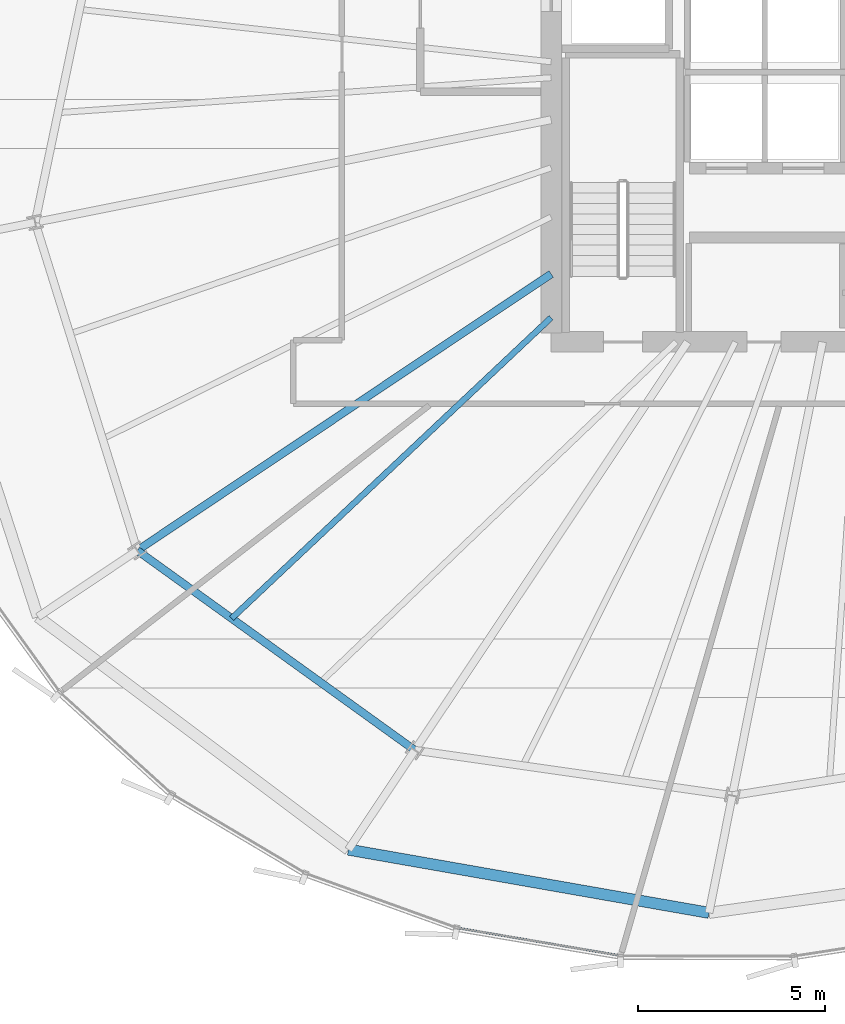
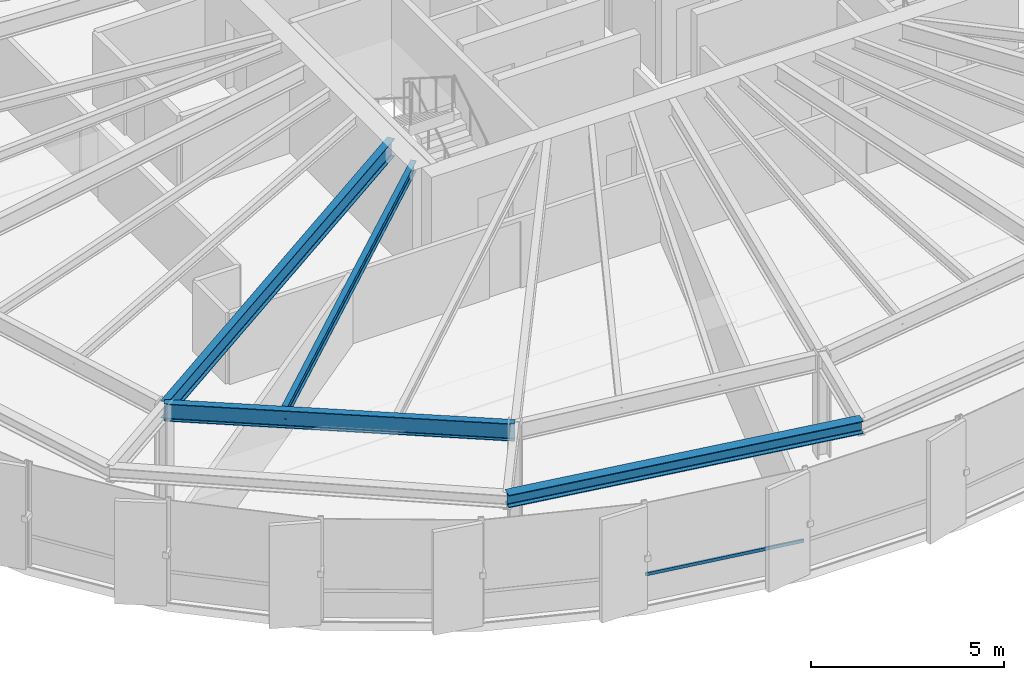
# One storey, part 4 of 34: 4 beams, 1 member, 1 element without a shape of its own.
"""IFC4 building model written with IfcOpenShell, lengths in metres."""

from ifc_helpers import new_model, si_unit, direction, frame, origin, origin_2d, place, context, subcontext, project, spatial, hollow_rectangle, i_section, extrude, source, transform, mapped, material, layer, layer_set, material_profile, profile_set, type_object, element, aggregate, save


model = new_model("IFC4")

# Units and contexts
model_context = context("Model", 3, precision=1e-05, world=origin(), true_north=direction((0.0, 1.0)))
body_context = subcontext(model_context, "Body", "Model", "MODEL_VIEW")
ifc_project = project(units=[si_unit("LENGTHUNIT", "METRE"), si_unit("AREAUNIT", "SQUARE_METRE"), si_unit("VOLUMEUNIT", "CUBIC_METRE"), si_unit("PLANEANGLEUNIT", "RADIAN"), si_unit("MASSUNIT", "GRAM", prefix="KILO"), si_unit("THERMODYNAMICTEMPERATUREUNIT", "KELVIN")], contexts=[model_context])

# Site, building, storey
site_placement = place(None, origin())
site = spatial("IfcSite", under=ifc_project, at=site_placement, CompositionType="ELEMENT")
building_placement = place(site_placement, origin())
building = spatial("IfcBuilding", under=site, at=building_placement, Name="Kethvar Cultural Tower", CompositionType="ELEMENT")
storey_placement = place(building_placement, frame((0.0, 0.0, 153.64990234375)))
storey = spatial("IfcBuildingStorey", under=building, at=storey_placement, Name="L39", CompositionType="ELEMENT", Elevation=153.64990234375)

# Beams
ifc_material_1 = material(Name="Steel S355J2", Category="steel")
ifc_material_profile_1 = material_profile(ifc_material_1, i_section(OverallWidth=0.2099609375, OverallDepth=0.550048828125, WebThickness=0.010986328125, FlangeThickness=0.01708984375, FilletRadius=0.02392578125, at=origin_2d()), Name="Steel S355J2 — IPE550")
ifc_profile_set_1 = profile_set([ifc_material_profile_1], Name="Steel S355J2 — IPE550")
beam_type_1 = type_object("IfcBeamType", Name="BM-IPE550", PredefinedType="BEAM", material=ifc_profile_set_1)
shared_shape_1 = source(origin(), body_context, "Body", "SweptSolid", [
    extrude(i_section(OverallWidth=0.2099609375, OverallDepth=0.550048828125, WebThickness=0.010986328125, FlangeThickness=0.01708984375, FilletRadius=0.02392578125, at=origin_2d()), origin(), (0.0, 0.0, 1.0), 13.324951171875),
])
beam_1_placement = place(storey_placement, frame((38.0, 21.919921875, 3.023193359375), z_axis=(-0.831474815475, -0.555562445843, 0.0), x_axis=(0.555562445843, -0.831474815475, 0.0)))
element("IfcBeam", 1, at=beam_1_placement, inside=storey, type_object=beam_type_1, Name="L39 Primary Radial Beam RB-10", PredefinedType="BEAM", context=body_context, shape_type="MappedRepresentation", body=[
    mapped(shared_shape_1, transform((0.0, 0.0, 0.0), scale=1.0)),
])
shared_shape_2 = source(origin(), body_context, "Body", "SweptSolid", [
    extrude(i_section(OverallWidth=0.2099609375, OverallDepth=0.550048828125, WebThickness=0.010986328125, FlangeThickness=0.01708984375, FilletRadius=0.02392578125, at=origin_2d()), origin(), (0.0, 0.0, 1.0), 9.155029296875),
])
beam_2_placement = place(storey_placement, frame((26.920654296875, 14.51708984375, 3.023193359375), z_axis=(0.811590987974, -0.584226042076, 0.0), x_axis=(0.584226042076, 0.811590987974, 0.0)))
element("IfcBeam", 2, at=beam_2_placement, inside=storey, type_object=beam_type_1, Name="L39 Column Ring Tie Beam CR-10", PredefinedType="BEAM", context=body_context, shape_type="MappedRepresentation", body=[
    mapped(shared_shape_2, transform((0.0, 0.0, 0.0), scale=1.0)),
])
ifc_material_profile_2 = material_profile(ifc_material_1, i_section(OverallWidth=0.159912109375, OverallDepth=0.330078125, WebThickness=0.007568359375, FlangeThickness=0.011474609375, FilletRadius=0.01806640625, at=origin_2d()), Name="Steel S355J2 — IPE330")
ifc_profile_set_2 = profile_set([ifc_material_profile_2], Name="Steel S355J2 — IPE330")
beam_type_2 = type_object("IfcBeamType", Name="BM-J330", PredefinedType="JOIST", material=ifc_profile_set_2)
shared_shape_3 = source(origin(), body_context, "Body", "SweptSolid", [
    extrude(i_section(OverallWidth=0.159912109375, OverallDepth=0.330078125, WebThickness=0.007568359375, FlangeThickness=0.011474609375, FilletRadius=0.01806640625, at=origin_2d()), origin(), (0.0, 0.0, 1.0), 11.74658203125),
])
beam_3_placement = place(storey_placement, frame((38.0, 20.75, 3.133056640625), z_axis=(-0.728129818661, -0.685439251266, 0.0), x_axis=(0.685439251266, -0.728129818661, 0.0)))
element("IfcBeam", 3, at=beam_3_placement, inside=storey, type_object=beam_type_2, Name="L39 Composite Floor Joist J-10A", PredefinedType="JOIST", context=body_context, shape_type="MappedRepresentation", body=[
    mapped(shared_shape_3, transform((0.0, 0.0, 0.0), scale=1.0)),
])
ifc_material_profile_3 = material_profile(ifc_material_1, i_section(OverallWidth=0.300048828125, OverallDepth=0.39990234375, WebThickness=0.013427734375, FlangeThickness=0.02392578125, FilletRadius=0.027099609375, at=origin_2d()), Name="Steel S355J2 — HEB400")
ifc_profile_set_3 = profile_set([ifc_material_profile_3], Name="Steel S355J2 — HEB400")
beam_type_3 = type_object("IfcBeamType", Name="BM-SP400", PredefinedType="SPANDREL", material=ifc_profile_set_3)
shared_shape_4 = source(origin(), body_context, "Body", "SweptSolid", [
    extrude(i_section(OverallWidth=0.300048828125, OverallDepth=0.39990234375, WebThickness=0.013427734375, FlangeThickness=0.02392578125, FilletRadius=0.027099609375, at=origin_2d()), origin(), (0.0, 0.0, 1.0), 9.80224609375),
])
beam_4_placement = place(storey_placement, frame((32.572998046875, 6.5078125, 3.09814453125), z_axis=(0.984974273513, -0.172701130618, 0.0), x_axis=(0.172701130618, 0.984974273513, 0.0)))
element("IfcBeam", 4, at=beam_4_placement, inside=storey, type_object=beam_type_3, Name="L39 Perimeter Spandrel Beam SP-11", PredefinedType="SPANDREL", context=body_context, shape_type="MappedRepresentation", body=[
    mapped(shared_shape_4, transform((0.0, 0.0, 0.0), scale=1.0)),
])

# Curtain wall, member
ifc_material_2 = material(Name="Aluminium 6063-T6", Category="aluminium")
ifc_layer = layer(ifc_material_2, 0.179931640625, Name="Aluminium 6063-T6", Category="aluminium")
ifc_layer_set = layer_set([ifc_layer], Name="Aluminium 6063-T6 (180 mm)")
curtain_wall_type = type_object("IfcCurtainWallType", Name="CW-SYS-04-Z34", PredefinedType="NOTDEFINED", material=ifc_layer_set)
curtain_wall_placement = place(storey_placement, origin())
curtain_wall = element("IfcCurtainWall", 5, at=curtain_wall_placement, inside=storey, type_object=curtain_wall_type, Name="L39 Curtain Wall Run 04", PredefinedType="NOTDEFINED")
ifc_material_profile_4 = material_profile(ifc_material_2, hollow_rectangle(XDim=0.050048828125, YDim=0.10009765625, WallThickness=0.00390625, at=origin_2d()), Name="Aluminium 6063-T6 — RHS100x50x4")
ifc_profile_set_4 = profile_set([ifc_material_profile_4], Name="Aluminium 6063-T6 — RHS100x50x4")
member_type = type_object("IfcMemberType", Name="CW-SYS-04-Z34-TRN", PredefinedType="USERDEFINED", material=ifc_profile_set_4)
shared_shape_5 = source(origin(), body_context, "Body", "SweptSolid", [
    extrude(hollow_rectangle(XDim=0.050048828125, YDim=0.10009765625, WallThickness=0.00390625, at=origin_2d()), origin(), (0.0, 0.0, 1.0), 4.3857421875),
])
member_placement = place(storey_placement, frame((35.515380859375, 4.40771484375, 0.9501953125), z_axis=(0.985862284246, -0.167557621433, 0.0), x_axis=(0.167557621433, 0.985862284246, 0.0)))
member = element("IfcMember", 6, at=member_placement, type_object=member_type, Name="CW-L39-R04 Transom 5", ObjectType="TRANSOM", PredefinedType="USERDEFINED", context=body_context, shape_type="MappedRepresentation", body=[
    mapped(shared_shape_5, transform((0.0, 0.0, 0.0), scale=1.0)),
])
aggregate(curtain_wall, [member])

save(model, "model.ifc")
